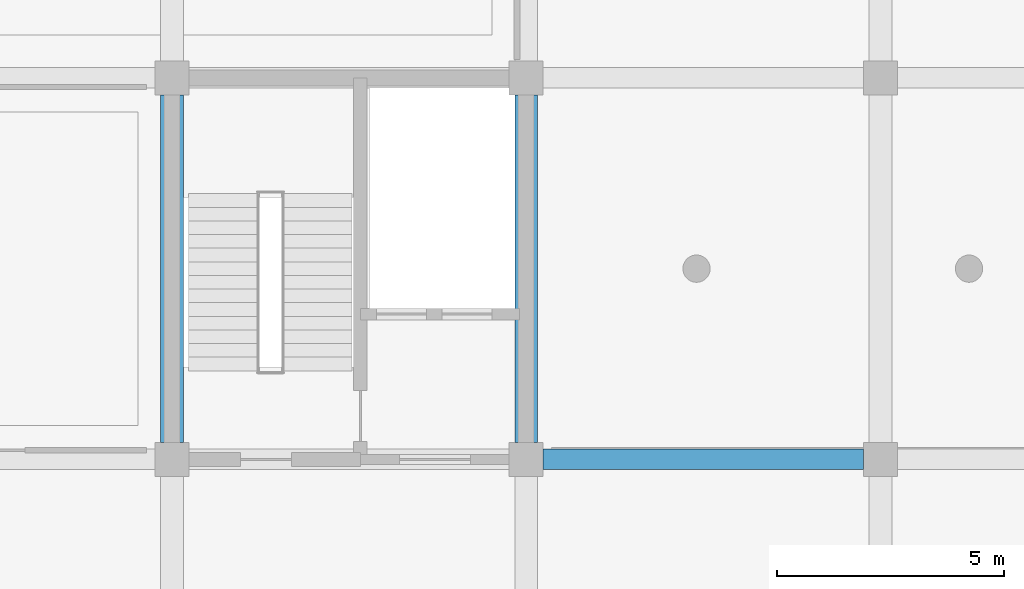
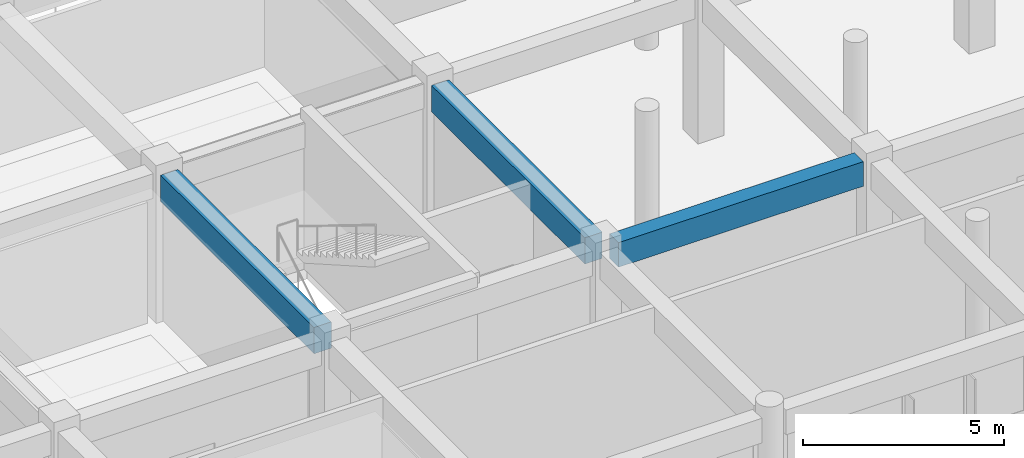
# One storey, part 36 of 175: 3 beams.
"""IFC4 building model written with IfcOpenShell, lengths in metres."""

from ifc_helpers import new_model, si_unit, direction, frame, origin, origin_2d, place, context, subcontext, project, spatial, rectangle, extrude, material, material_profile, profile_set, type_object, element, save


model = new_model("IFC4")

# Units and contexts
model_context = context("Model", 3, precision=1e-05, world=origin(), true_north=direction((0.0, 1.0)))
body_context = subcontext(model_context, "Body", "Model", "MODEL_VIEW")
ifc_project = project(units=[si_unit("LENGTHUNIT", "METRE"), si_unit("AREAUNIT", "SQUARE_METRE"), si_unit("VOLUMEUNIT", "CUBIC_METRE"), si_unit("PLANEANGLEUNIT", "RADIAN"), si_unit("MASSUNIT", "GRAM", prefix="KILO")], contexts=[model_context])

# Site, building, storey
site_placement = place(None, origin())
site = spatial("IfcSite", under=ifc_project, at=site_placement, CompositionType="ELEMENT")
building_placement = place(site_placement, origin())
building = spatial("IfcBuilding", under=site, at=building_placement, Name="Zizhar Promenade General Hospital", CompositionType="ELEMENT")
storey_placement = place(building_placement, frame((0.0, 0.0, 4.800048828125)))
storey = spatial("IfcBuildingStorey", under=building, at=storey_placement, Name="L01", CompositionType="ELEMENT", Elevation=4.800048828125)

# Beams
ifc_material_1 = material(Name="Concrete C35/45", Category="concrete")
ifc_material_profile_1 = material_profile(ifc_material_1, rectangle(XDim=0.449951171875, YDim=0.75, at=origin_2d()))
ifc_profile_set_1 = profile_set([ifc_material_profile_1], Name="Concrete C35/45")
beam_type_1 = type_object("IfcBeamType", Name="BM-RC-450x750", PredefinedType="BEAM", material=ifc_profile_set_1)
beam_placement = place(storey_placement, frame((101.77490234375, 8.39990234375, 4.094970703125), z_axis=(1.0, 0.0, 0.0), x_axis=(0.0, 1.0, 0.0)))
element("IfcBeam", 1, at=beam_placement, inside=storey, type_object=beam_type_1, Name="Grid Beam X L01 (13-1)", PredefinedType="BEAM", context=body_context, shape_type="SweptSolid", body=[
    extrude(rectangle(XDim=0.449951171875, YDim=0.75, at=origin_2d()), origin(), (0.0, 0.0, 1.0), 7.050048828125),
])
ifc_material_2 = material(Name="Concrete C35/45", Category="concrete")
ifc_material_profile_2 = material_profile(ifc_material_2, rectangle(XDim=0.5, YDim=0.800048828125, at=origin_2d()))
ifc_profile_set_2 = profile_set([ifc_material_profile_2], Name="Concrete C35/45")
beam_type_2 = type_object("IfcBeamType", Name="BM-RC-500x800", PredefinedType="BEAM", material=ifc_profile_set_2)
for number, where, z_axis, x_axis, name in (
    (2, (93.60009765625, 8.77490234375, 4.070068359375), (0.0, 1.0, 0.0), (-1.0, 0.0, 0.0), "Grid Beam Y L01 (12-1)"),
    (3, (101.39990234375, 8.77490234375, 4.070068359375), (0.0, 1.0, 0.0), (-1.0, 0.0, 0.0), "Grid Beam Y L01 (13-1)"),
):
    element("IfcBeam", number, at=place(storey_placement, frame(where, z_axis=z_axis, x_axis=x_axis)), inside=storey, type_object=beam_type_2, Name=name, PredefinedType="BEAM", context=body_context, shape_type="SweptSolid", body=[
        extrude(rectangle(XDim=0.5, YDim=0.800048828125, at=origin_2d()), origin(), (0.0, 0.0, 1.0), 7.650146484375),
    ])

save(model, "model.ifc")
